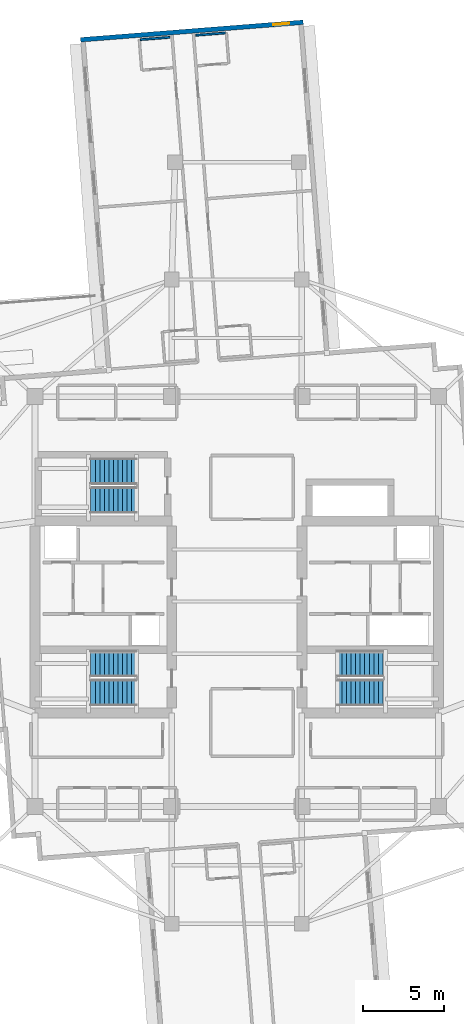
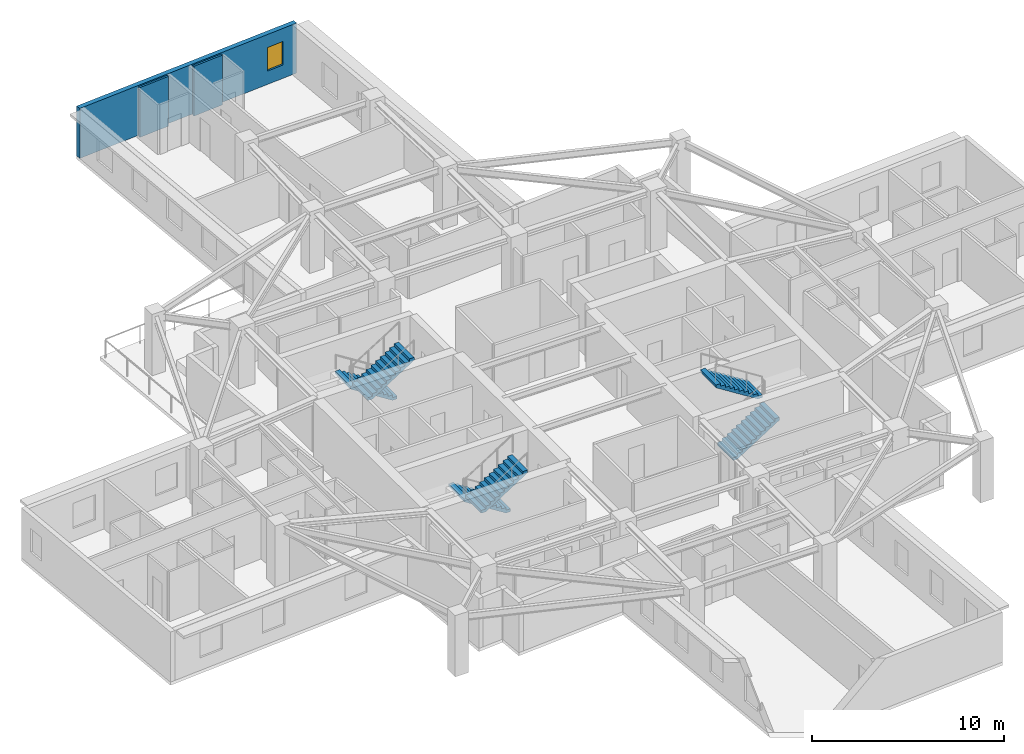
# One storey, part 9 of 13: 6 stair flights, 3 walls, 1 window, 1 opening, 3 elements without a shape of their own.
"""IFC4 building model written with IfcOpenShell, lengths in metres."""

from ifc_helpers import new_model, si_unit, direction, frame, frame_2d, origin, place, context, subcontext, project, spatial, polyline, rectangle, outline, extrude, material, layer, layer_set, type_object, element, fill, aggregate, save


model = new_model("IFC4")

# Units and contexts
model_context = context("Model", 3, precision=1e-05, world=origin(), true_north=direction((0.0, 1.0)))
body_context = subcontext(model_context, "Body", "Model", "MODEL_VIEW")
ifc_project = project(units=[si_unit("LENGTHUNIT", "METRE"), si_unit("AREAUNIT", "SQUARE_METRE"), si_unit("VOLUMEUNIT", "CUBIC_METRE"), si_unit("PLANEANGLEUNIT", "RADIAN"), si_unit("MASSUNIT", "GRAM", prefix="KILO")], contexts=[model_context])

# Site, building, storey
site_placement = place(None, origin())
site = spatial("IfcSite", under=ifc_project, at=site_placement, CompositionType="ELEMENT")
building_placement = place(site_placement, origin())
building = spatial("IfcBuilding", under=site, at=building_placement, Name="Qingluan Cross Belvedere", CompositionType="ELEMENT")
storey_placement = place(building_placement, frame((0.0, 0.0, 205.199951171875)))
storey = spatial("IfcBuildingStorey", under=building, at=storey_placement, Name="L51", CompositionType="ELEMENT", Elevation=205.199951171875)

# Walls
ifc_material_1 = material(Name="Moisture-resistant gypsum board lining")
ifc_layer_1 = layer(ifc_material_1, 0.1201171875, Name="EnsuiteWetPartition_120")
ifc_layer_set_1 = layer_set([ifc_layer_1], Name="Moisture-resistant gypsum board lining")
wall_type_1 = type_object("IfcWallType", Name="EnsuiteWetPartition_120", PredefinedType="PARTITIONING", material=ifc_layer_set_1)
wall_1_placement = place(storey_placement, frame((-2.518798828125, 34.809814453125, 0.0), z_axis=(0.0, 0.0, 1.0), x_axis=(0.996926062126, 0.078348112001, 0.0)))
element("IfcWall", 1, at=wall_1_placement, inside=storey, type_object=wall_type_1, Name="Partition L51:N:bw0_1", PredefinedType="PARTITIONING", context=body_context, shape_type="SweptSolid", body=[
    extrude(rectangle(XDim=1.81982421875, YDim=0.1201171875, at=frame_2d((0.909912109375, 0.0))), origin(), (0.0, 0.0, 1.0), 3.170166015625),
])
wall_2_placement = place(storey_placement, frame((-5.928466796875, 34.541259765625, 0.0), z_axis=(0.0, 0.0, 1.0), x_axis=(0.996916400774, 0.0784709492, 0.0)))
element("IfcWall", 2, at=wall_2_placement, inside=storey, type_object=wall_type_1, Name="Partition L51:N:bw1_1", PredefinedType="PARTITIONING", context=body_context, shape_type="SweptSolid", body=[
    extrude(rectangle(XDim=1.820068359375, YDim=0.1201171875, at=frame_2d((0.91015625, 0.0))), origin(), (0.0, 0.0, 1.0), 3.170166015625),
])

# Wall, opening, window
ifc_material_2 = material(Name="Precast concrete C45", Category="concrete")
ifc_layer_2 = layer(ifc_material_2, 0.280029296875, Name="PrecastFacadeWall_280")
ifc_layer_set_2 = layer_set([ifc_layer_2], Name="Precast concrete C45")
wall_type_2 = type_object("IfcWallType", Name="PrecastFacadeWall_280", PredefinedType="STANDARD", material=ifc_layer_set_2)
wall_3_placement = place(storey_placement, frame((4.07861328125, 35.60986328125, 0.0), z_axis=(0.0, 0.0, 1.0), x_axis=(-0.996916198482, -0.078473519122, 0.0)))
wall_3 = element("IfcWall", 3, at=wall_3_placement, inside=storey, type_object=wall_type_2, Name="Arm tip precast facade wall L51-N", PredefinedType="STANDARD", context=body_context, shape_type="SweptSolid", body=[
    extrude(rectangle(XDim=13.719970703125, YDim=0.280029296875, at=frame_2d((6.85986328125, 0.0))), origin(), (0.0, 0.0, 1.0), 3.179931640625),
])
opening_placement = place(wall_3_placement, frame((0.85009765625, 0.0, 0.85009765625)))
opening = element("IfcOpeningElement", 4, at=opening_placement, cuts=wall_3, Name="Opening W-03", PredefinedType="OPENING", context=body_context, shape_type="SweptSolid", body=[
    extrude(rectangle(XDim=1.0, YDim=1.5, at=frame_2d((0.5, 0.75))), frame((0.0, 0.14990234375, 0.0), z_axis=(0.0, -1.0, 0.0), x_axis=(1.0, 0.0, 0.0)), (0.0, 0.0, 1.0), 0.300048828125),
])
ifc_material_3 = material(Name="Thermally broken triple Low-E glass in aluminium frame", Category="aluminium")
window_type = type_object("IfcWindowType", Name="TriApexWin_1000x1500", PartitioningType="SINGLE_PANEL", PredefinedType="WINDOW", material=ifc_material_3)
window_placement = place(opening_placement, origin())
window = element("IfcWindow", 5, at=window_placement, inside=storey, type_object=window_type, Name="Arm tip triangular window L51-N", OverallHeight=1.5, OverallWidth=1.0, PartitioningType="SINGLE_PANEL", PredefinedType="WINDOW", context=body_context, shape_type="SweptSolid", body=[
    extrude(rectangle(XDim=1.0, YDim=1.5, at=frame_2d((0.5, 0.75))), frame((0.0, 0.030029296875, 0.0), z_axis=(0.0, -1.0, 0.0), x_axis=(1.0, 0.0, 0.0)), (0.0, 0.0, 1.0), 0.06005859375),
])
fill(opening, window)

# Stair, stair flights
ifc_material_4 = material(Name="Concrete C40", Category="concrete")
stair_type = type_object("IfcStairType", Name="CoreDoglegStair_1620", PredefinedType="HALF_TURN_STAIR", material=ifc_material_4)
stair_1_placement = place(storey_placement, origin())
stair_1 = element("IfcStair", 6, at=stair_1_placement, inside=storey, type_object=stair_type, Name="L51 ST1", PredefinedType="HALF_TURN_STAIR")
ifc_material_5 = material(Name="Concrete C40", Category="concrete")
ifc_layer_3 = layer(ifc_material_5, 0.179931640625, Name="StairFlight_RC180")
ifc_layer_set_3 = layer_set([ifc_layer_3], Name="Concrete C40")
stair_flight_type = type_object("IfcStairFlightType", Name="StairFlight_RC180", PredefinedType="STRAIGHT", material=ifc_layer_set_3)
stair_flight_1_placement = place(storey_placement, frame((-6.179931640625, -3.81005859375, 0.0), z_axis=(0.0, 0.0, 1.0), x_axis=(-1.0, 0.0, 0.0)))
stair_flight_1 = element("IfcStairFlight", 7, at=stair_flight_1_placement, type_object=stair_flight_type, Name="ST1 flight 1", NumberOfRisers=11, NumberOfTreads=10, PredefinedType="STRAIGHT", RiserHeight=0.177272727, TreadLength=0.28, context=body_context, shape_type="SweptSolid", body=[
    extrude(outline(polyline([(0.0, 0.0), (0.0, 0.17724609375), (0.280029296875, 0.17724609375), (0.280029296875, 0.3544921875), (0.56005859375, 0.3544921875), (0.56005859375, 0.53173828125), (0.840087890625, 0.53173828125), (0.840087890625, 0.708984375), (1.1201171875, 0.708984375), (1.1201171875, 0.886474609375), (1.39990234375, 0.886474609375), (1.39990234375, 1.063720703125), (1.679931640625, 1.063720703125), (1.679931640625, 1.240966796875), (1.9599609375, 1.240966796875), (1.9599609375, 1.418212890625), (2.239990234375, 1.418212890625), (2.239990234375, 1.595458984375), (2.52001953125, 1.595458984375), (2.52001953125, 1.772705078125), (2.800048828125, 1.772705078125), (2.800048828125, 1.949951171875), (2.800048828125, 1.59521484375), (0.2802734375, 0.0), (0.0, 0.0)])), frame((0.0, 0.81005859375, 0.0), z_axis=(0.0, -1.0, 0.0), x_axis=(1.0, 0.0, 0.0)), (0.0, 0.0, 1.0), 1.6201171875),
])
stair_flight_2_placement = place(storey_placement, frame((-8.97998046875, -5.590087890625, 1.949951171875), z_axis=(0.0, 0.0, 1.0), x_axis=(1.0, 0.0, 0.0)))
stair_flight_2 = element("IfcStairFlight", 8, at=stair_flight_2_placement, type_object=stair_flight_type, Name="ST1 flight 2", NumberOfRisers=11, NumberOfTreads=10, PredefinedType="STRAIGHT", RiserHeight=0.177272727, TreadLength=0.28, context=body_context, shape_type="SweptSolid", body=[
    extrude(outline(polyline([(0.0, 0.0), (0.0, 0.17724609375), (0.280029296875, 0.17724609375), (0.280029296875, 0.3544921875), (0.56005859375, 0.3544921875), (0.56005859375, 0.53173828125), (0.840087890625, 0.53173828125), (0.840087890625, 0.708984375), (1.1201171875, 0.708984375), (1.1201171875, 0.886474609375), (1.39990234375, 0.886474609375), (1.39990234375, 1.063720703125), (1.679931640625, 1.063720703125), (1.679931640625, 1.240966796875), (1.9599609375, 1.240966796875), (1.9599609375, 1.418212890625), (2.239990234375, 1.418212890625), (2.239990234375, 1.595458984375), (2.52001953125, 1.595458984375), (2.52001953125, 1.772705078125), (2.800048828125, 1.772705078125), (2.800048828125, 1.949951171875), (2.800048828125, 1.59521484375), (0.2802734375, 0.0), (0.0, 0.0)])), frame((0.0, 0.81005859375, 0.0), z_axis=(0.0, -1.0, 0.0), x_axis=(1.0, 0.0, 0.0)), (0.0, 0.0, 1.0), 1.6201171875),
])
aggregate(stair_1, [stair_flight_1, stair_flight_2])

stair_2_placement = place(storey_placement, origin())
stair_2 = element("IfcStair", 9, at=stair_2_placement, inside=storey, type_object=stair_type, Name="L51 ST2", PredefinedType="HALF_TURN_STAIR")
stair_flight_3_placement = place(storey_placement, frame((6.179931640625, -5.590087890625, 0.0), z_axis=(0.0, 0.0, 1.0), x_axis=(1.0, 0.0, 0.0)))
stair_flight_3 = element("IfcStairFlight", 10, at=stair_flight_3_placement, type_object=stair_flight_type, Name="ST2 flight 1", NumberOfRisers=11, NumberOfTreads=10, PredefinedType="STRAIGHT", RiserHeight=0.177272727, TreadLength=0.28, context=body_context, shape_type="SweptSolid", body=[
    extrude(outline(polyline([(0.0, 0.0), (0.0, 0.17724609375), (0.280029296875, 0.17724609375), (0.280029296875, 0.3544921875), (0.56005859375, 0.3544921875), (0.56005859375, 0.53173828125), (0.840087890625, 0.53173828125), (0.840087890625, 0.708984375), (1.1201171875, 0.708984375), (1.1201171875, 0.886474609375), (1.39990234375, 0.886474609375), (1.39990234375, 1.063720703125), (1.679931640625, 1.063720703125), (1.679931640625, 1.240966796875), (1.9599609375, 1.240966796875), (1.9599609375, 1.418212890625), (2.239990234375, 1.418212890625), (2.239990234375, 1.595458984375), (2.52001953125, 1.595458984375), (2.52001953125, 1.772705078125), (2.800048828125, 1.772705078125), (2.800048828125, 1.949951171875), (2.800048828125, 1.59521484375), (0.2802734375, 0.0), (0.0, 0.0)])), frame((0.0, 0.81005859375, 0.0), z_axis=(0.0, -1.0, 0.0), x_axis=(1.0, 0.0, 0.0)), (0.0, 0.0, 1.0), 1.6201171875),
])
stair_flight_4_placement = place(storey_placement, frame((8.97998046875, -3.81005859375, 1.949951171875), z_axis=(0.0, 0.0, 1.0), x_axis=(-1.0, 0.0, 0.0)))
stair_flight_4 = element("IfcStairFlight", 11, at=stair_flight_4_placement, type_object=stair_flight_type, Name="ST2 flight 2", NumberOfRisers=11, NumberOfTreads=10, PredefinedType="STRAIGHT", RiserHeight=0.177272727, TreadLength=0.28, context=body_context, shape_type="SweptSolid", body=[
    extrude(outline(polyline([(0.0, 0.0), (0.0, 0.17724609375), (0.280029296875, 0.17724609375), (0.280029296875, 0.3544921875), (0.56005859375, 0.3544921875), (0.56005859375, 0.53173828125), (0.840087890625, 0.53173828125), (0.840087890625, 0.708984375), (1.1201171875, 0.708984375), (1.1201171875, 0.886474609375), (1.39990234375, 0.886474609375), (1.39990234375, 1.063720703125), (1.679931640625, 1.063720703125), (1.679931640625, 1.240966796875), (1.9599609375, 1.240966796875), (1.9599609375, 1.418212890625), (2.239990234375, 1.418212890625), (2.239990234375, 1.595458984375), (2.52001953125, 1.595458984375), (2.52001953125, 1.772705078125), (2.800048828125, 1.772705078125), (2.800048828125, 1.949951171875), (2.800048828125, 1.59521484375), (0.2802734375, 0.0), (0.0, 0.0)])), frame((0.0, 0.81005859375, 0.0), z_axis=(0.0, -1.0, 0.0), x_axis=(1.0, 0.0, 0.0)), (0.0, 0.0, 1.0), 1.6201171875),
])
aggregate(stair_2, [stair_flight_3, stair_flight_4])

stair_3_placement = place(storey_placement, origin())
stair_3 = element("IfcStair", 12, at=stair_3_placement, inside=storey, type_object=stair_type, Name="L51 ST3", PredefinedType="HALF_TURN_STAIR")
stair_flight_5_placement = place(storey_placement, frame((-6.179931640625, 8.010009765625, 0.0), z_axis=(0.0, 0.0, 1.0), x_axis=(-1.0, 0.0, 0.0)))
stair_flight_5 = element("IfcStairFlight", 13, at=stair_flight_5_placement, type_object=stair_flight_type, Name="ST3 flight 1", NumberOfRisers=11, NumberOfTreads=10, PredefinedType="STRAIGHT", RiserHeight=0.177272727, TreadLength=0.28, context=body_context, shape_type="SweptSolid", body=[
    extrude(outline(polyline([(0.0, 0.0), (0.0, 0.17724609375), (0.280029296875, 0.17724609375), (0.280029296875, 0.3544921875), (0.56005859375, 0.3544921875), (0.56005859375, 0.53173828125), (0.840087890625, 0.53173828125), (0.840087890625, 0.708984375), (1.1201171875, 0.708984375), (1.1201171875, 0.886474609375), (1.39990234375, 0.886474609375), (1.39990234375, 1.063720703125), (1.679931640625, 1.063720703125), (1.679931640625, 1.240966796875), (1.9599609375, 1.240966796875), (1.9599609375, 1.418212890625), (2.239990234375, 1.418212890625), (2.239990234375, 1.595458984375), (2.52001953125, 1.595458984375), (2.52001953125, 1.772705078125), (2.800048828125, 1.772705078125), (2.800048828125, 1.949951171875), (2.800048828125, 1.59521484375), (0.2802734375, 0.0), (0.0, 0.0)])), frame((0.0, 0.81005859375, 0.0), z_axis=(0.0, -1.0, 0.0), x_axis=(1.0, 0.0, 0.0)), (0.0, 0.0, 1.0), 1.6201171875),
])
stair_flight_6_placement = place(storey_placement, frame((-8.97998046875, 6.22998046875, 1.949951171875), z_axis=(0.0, 0.0, 1.0), x_axis=(1.0, 0.0, 0.0)))
stair_flight_6 = element("IfcStairFlight", 14, at=stair_flight_6_placement, type_object=stair_flight_type, Name="ST3 flight 2", NumberOfRisers=11, NumberOfTreads=10, PredefinedType="STRAIGHT", RiserHeight=0.177272727, TreadLength=0.28, context=body_context, shape_type="SweptSolid", body=[
    extrude(outline(polyline([(0.0, 0.0), (0.0, 0.17724609375), (0.280029296875, 0.17724609375), (0.280029296875, 0.3544921875), (0.56005859375, 0.3544921875), (0.56005859375, 0.53173828125), (0.840087890625, 0.53173828125), (0.840087890625, 0.708984375), (1.1201171875, 0.708984375), (1.1201171875, 0.886474609375), (1.39990234375, 0.886474609375), (1.39990234375, 1.063720703125), (1.679931640625, 1.063720703125), (1.679931640625, 1.240966796875), (1.9599609375, 1.240966796875), (1.9599609375, 1.418212890625), (2.239990234375, 1.418212890625), (2.239990234375, 1.595458984375), (2.52001953125, 1.595458984375), (2.52001953125, 1.772705078125), (2.800048828125, 1.772705078125), (2.800048828125, 1.949951171875), (2.800048828125, 1.59521484375), (0.2802734375, 0.0), (0.0, 0.0)])), frame((0.0, 0.81005859375, 0.0), z_axis=(0.0, -1.0, 0.0), x_axis=(1.0, 0.0, 0.0)), (0.0, 0.0, 1.0), 1.6201171875),
])
aggregate(stair_3, [stair_flight_5, stair_flight_6])

save(model, "model.ifc")
